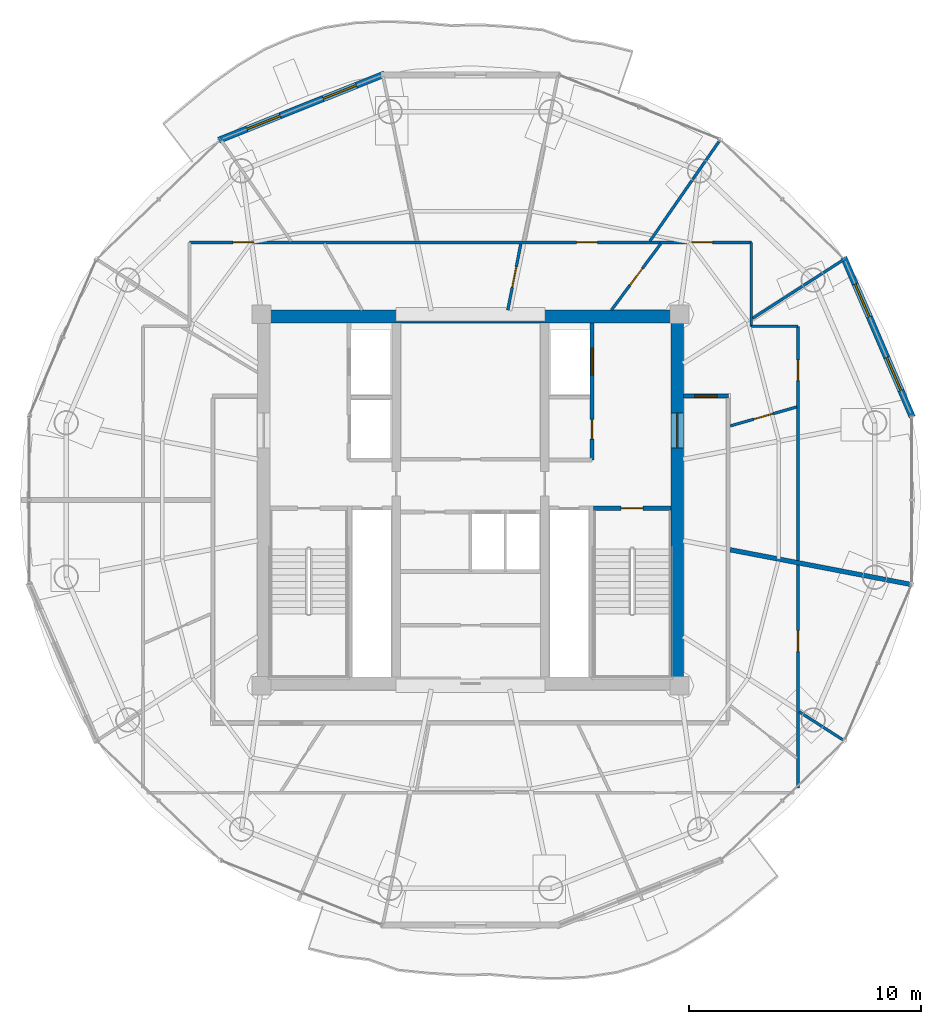
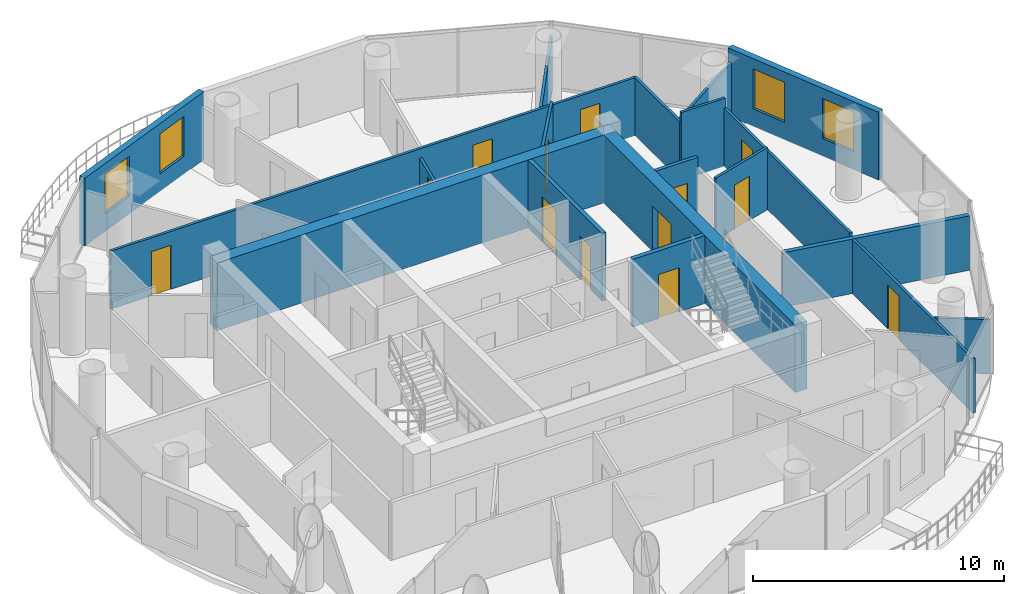
# One storey, part 19 of 23: 19 walls, 13 doors, 4 windows, 17 openings.
"""IFC4 building model written with IfcOpenShell, lengths in metres."""

from ifc_helpers import new_model, si_unit, direction, frame, frame_2d, origin, place, context, subcontext, project, spatial, rectangle, extrude, source, transform, mapped, material, layer, layer_set, type_object, element, fill, save


model = new_model("IFC4")

# Units and contexts
model_context = context("Model", 3, precision=1e-05, world=origin(), true_north=direction((-0.2419218956, 0.970295726276)))
body_context = subcontext(model_context, "Body", "Model", "MODEL_VIEW")
ifc_project = project(units=[si_unit("LENGTHUNIT", "METRE"), si_unit("AREAUNIT", "SQUARE_METRE"), si_unit("VOLUMEUNIT", "CUBIC_METRE"), si_unit("PLANEANGLEUNIT", "RADIAN"), si_unit("MASSUNIT", "GRAM", prefix="KILO")], contexts=[model_context])

# Site, building, storey
site_placement = place(None, origin())
site = spatial("IfcSite", under=ifc_project, at=site_placement, CompositionType="ELEMENT")
building_placement = place(site_placement, origin())
building = spatial("IfcBuilding", under=site, at=building_placement, Name="Cobrevalo Terracotta Tower", CompositionType="ELEMENT")
storey_placement = place(building_placement, frame((0.0, 0.0, 296.949951171875)))
storey = spatial("IfcBuildingStorey", under=building, at=storey_placement, Name="L78", CompositionType="ELEMENT", Elevation=296.949951171875)

# Wall
ifc_material_1 = material(Name="Concrete C50", Category="concrete")
ifc_layer_1 = layer(ifc_material_1, 0.550048828125)
ifc_layer_set_1 = layer_set([ifc_layer_1], Name="Concrete C50")
wall_type_1 = type_object("IfcWallType", Name="Core shear wall 550 mm Concrete C50", PredefinedType="SHEAR", material=ifc_layer_set_1)
wall_1_placement = place(storey_placement, frame((28.824951171875, 34.699951171875, 0.0), z_axis=(0.0, 0.0, 1.0), x_axis=(1.0, 0.0, 0.0)))
element("IfcWall", 1, at=wall_1_placement, inside=storey, type_object=wall_type_1, Name="L78 north core shear wall", PredefinedType="SHEAR", context=body_context, shape_type="SweptSolid", body=[
    extrude(rectangle(XDim=18.35009765625, YDim=0.550048828125, at=frame_2d((9.175048828125, 0.0))), origin(), (0.0, 0.0, 1.0), 3.300048828125),
])

# Wall, opening, door
wall_2_placement = place(storey_placement, frame((46.89990234375, 19.175048828125, 0.0), z_axis=(0.0, 0.0, 1.0), x_axis=(0.0, 1.0, 0.0)))
wall_2 = element("IfcWall", 2, at=wall_2_placement, inside=storey, type_object=wall_type_1, Name="L78 east core shear wall", PredefinedType="SHEAR", context=body_context, shape_type="SweptSolid", body=[
    extrude(rectangle(XDim=15.25, YDim=0.550048828125, at=frame_2d((7.625, 0.0))), origin(), (0.0, 0.0, 1.0), 3.300048828125),
])
opening_1_placement = place(wall_2_placement, frame((9.875, 0.0, 0.0)))
opening_1 = element("IfcOpeningElement", 3, at=opening_1_placement, cuts=wall_2, Name="Opening ID-14", PredefinedType="OPENING", context=body_context, shape_type="SweptSolid", body=[
    extrude(rectangle(XDim=1.5, YDim=2.199951171875, at=frame_2d((0.75, 1.10009765625))), frame((0.0, 0.28515625, 0.0), z_axis=(0.0, -1.0, 0.0), x_axis=(1.0, 0.0, 0.0)), (0.0, 0.0, 1.0), 0.570068359375),
])
ifc_material_2 = material(Name="Galvanized fire-rated steel", Category="steel")
door_type_1 = type_object("IfcDoorType", Name="Core cross-lobby double fire door 1500x2200 EI 90", OperationType="NOTDEFINED", PredefinedType="DOOR", material=ifc_material_2)
shared_shape_1 = source(origin(), body_context, "Body", "SweptSolid", [
    extrude(rectangle(XDim=1.5, YDim=2.199951171875, at=frame_2d((0.75, 1.10009765625))), frame((0.0, 0.02490234375, 0.0), z_axis=(0.0, -1.0, 0.0), x_axis=(1.0, 0.0, 0.0)), (0.0, 0.0, 1.0), 0.050048828125),
])
door_1_placement = place(opening_1_placement, frame((1.5, 0.0, 0.0), z_axis=(0.0, 0.0, 1.0), x_axis=(-1.0, 0.0, 0.0)))
door_1 = element("IfcDoor", 4, at=door_1_placement, inside=storey, type_object=door_type_1, Name="L78 east firefighting lobby entrance door", OperationType="DOUBLE_DOOR_SINGLE_SWING", OverallHeight=2.199951171875, OverallWidth=1.5, PredefinedType="DOOR", context=body_context, shape_type="MappedRepresentation", body=[
    mapped(shared_shape_1, transform((0.0, 0.0, 0.0), scale=1.0)),
])
fill(opening_1, door_1)

ifc_material_3 = material(Name="Gypsum board on steel stud", Category="steel")
ifc_layer_2 = layer(ifc_material_3, 0.159912109375)
ifc_layer_set_2 = layer_set([ifc_layer_2], Name="Gypsum board on steel stud")
wall_type_2 = type_object("IfcWallType", Name="Fire-rated corridor acoustic partition wall 160 mm", PredefinedType="PARTITIONING", material=ifc_layer_set_2)
wall_3_placement = place(storey_placement, frame((47.175048828125, 31.280029296875, 0.0), z_axis=(0.0, 0.0, 1.0), x_axis=(1.0, 0.0, 0.0)))
wall_3 = element("IfcWall", 5, at=wall_3_placement, inside=storey, type_object=wall_type_2, Name="L78 interior partition IW-L78-COR-EN-CAP", PredefinedType="PARTITIONING", context=body_context, shape_type="SweptSolid", body=[
    extrude(rectangle(XDim=1.929931640625, YDim=0.159912109375, at=frame_2d((0.96484375, 0.0))), origin(), (0.0, 0.0, 1.0), 3.300048828125),
])
opening_2_placement = place(wall_3_placement, frame((0.47509765625, 0.0, 0.0)))
opening_2 = element("IfcOpeningElement", 6, at=opening_2_placement, cuts=wall_3, Name="Opening ID-05", PredefinedType="OPENING", context=body_context, shape_type="SweptSolid", body=[
    extrude(rectangle(XDim=0.97998046875, YDim=2.199951171875, at=frame_2d((0.489990234375, 1.10009765625))), frame((0.0, 0.08984375, 0.0), z_axis=(0.0, -1.0, 0.0), x_axis=(1.0, 0.0, 0.0)), (0.0, 0.0, 1.0), 0.179931640625),
])
ifc_material_4 = material(Name="Solid hardwood timber", Category="wood")
door_type_2 = type_object("IfcDoorType", Name="Residence entrance fire-rated acoustic timber door 980x2200 EI 60", OperationType="NOTDEFINED", PredefinedType="DOOR", material=ifc_material_4)
shared_shape_2 = source(origin(), body_context, "Body", "SweptSolid", [
    extrude(rectangle(XDim=0.97998046875, YDim=2.199951171875, at=frame_2d((0.489990234375, 1.10009765625))), frame((0.0, 0.02490234375, 0.0), z_axis=(0.0, -1.0, 0.0), x_axis=(1.0, 0.0, 0.0)), (0.0, 0.0, 1.0), 0.050048828125),
])
door_2_placement = place(opening_2_placement, origin())
door_2 = element("IfcDoor", 7, at=door_2_placement, inside=storey, type_object=door_type_2, Name="Flat L78A fire-rated apartment entrance door", OperationType="SINGLE_SWING_RIGHT", OverallHeight=2.199951171875, OverallWidth=0.97998046875, PredefinedType="DOOR", context=body_context, shape_type="MappedRepresentation", body=[
    mapped(shared_shape_2, transform((0.0, 0.0, 0.0), scale=1.0)),
])
fill(opening_2, door_2)

# Wall, openings, doors
ifc_layer_3 = layer(ifc_material_3, 0.179931640625)
ifc_layer_set_3 = layer_set([ifc_layer_3], Name="Gypsum board on steel stud")
wall_type_3 = type_object("IfcWallType", Name="Fire-rated shaft & lobby acoustic partition wall 180 mm", PredefinedType="PARTITIONING", material=ifc_layer_set_3)
wall_4_placement = place(storey_placement, frame((43.22998046875, 28.52001953125, 0.0), z_axis=(0.0, 0.0, 1.0), x_axis=(0.0, 1.0, 0.0)))
wall_4 = element("IfcWall", 8, at=wall_4_placement, inside=storey, type_object=wall_type_3, Name="L78 interior partition IW-L78-FF2-E", PredefinedType="PARTITIONING", context=body_context, shape_type="SweptSolid", body=[
    extrude(rectangle(XDim=5.905029296875, YDim=0.179931640625, at=frame_2d((2.95263671875, 0.0))), origin(), (0.0, 0.0, 1.0), 3.300048828125),
])
opening_3_placement = place(wall_4_placement, frame((0.905029296875, 0.0, 0.0)))
opening_3 = element("IfcOpeningElement", 9, at=opening_3_placement, cuts=wall_4, Name="Opening ID-22", PredefinedType="OPENING", context=body_context, shape_type="SweptSolid", body=[
    extrude(rectangle(XDim=0.85009765625, YDim=2.10009765625, at=frame_2d((0.425048828125, 1.050048828125))), frame((0.0, 0.10009765625, 0.0), z_axis=(0.0, -1.0, 0.0), x_axis=(1.0, 0.0, 0.0)), (0.0, 0.0, 1.0), 0.199951171875),
])
opening_4_placement = place(wall_4_placement, frame((3.655029296875, 0.0, 0.0)))
opening_4 = element("IfcOpeningElement", 10, at=opening_4_placement, cuts=wall_4, Name="Opening LD-02", PredefinedType="OPENING", context=body_context, shape_type="SweptSolid", body=[
    extrude(rectangle(XDim=1.14990234375, YDim=2.199951171875, at=frame_2d((0.574951171875, 1.10009765625))), frame((0.0, 0.10009765625, 0.0), z_axis=(0.0, -1.0, 0.0), x_axis=(1.0, 0.0, 0.0)), (0.0, 0.0, 1.0), 0.199951171875),
])
ifc_material_5 = material(Name="Powder-coated steel", Category="steel")
door_type_3 = type_object("IfcDoorType", Name="Riser shaft & meter closet fire access door 850x2100 EI 60", OperationType="NOTDEFINED", PredefinedType="DOOR", material=ifc_material_5)
shared_shape_3 = source(origin(), body_context, "Body", "SweptSolid", [
    extrude(rectangle(XDim=0.85009765625, YDim=2.10009765625, at=frame_2d((0.425048828125, 1.050048828125))), frame((0.0, 0.02490234375, 0.0), z_axis=(0.0, -1.0, 0.0), x_axis=(1.0, 0.0, 0.0)), (0.0, 0.0, 1.0), 0.050048828125),
])
door_3_placement = place(opening_3_placement, frame((0.85009765625, 0.0, 0.0), z_axis=(0.0, 0.0, 1.0), x_axis=(-1.0, 0.0, 0.0)))
door_3 = element("IfcDoor", 11, at=door_3_placement, inside=storey, type_object=door_type_3, Name="L78 housekeeping store door", OperationType="SINGLE_SWING_RIGHT", OverallHeight=2.10009765625, OverallWidth=0.85009765625, PredefinedType="DOOR", context=body_context, shape_type="MappedRepresentation", body=[
    mapped(shared_shape_3, transform((0.0, 0.0, 0.0), scale=1.0)),
])
fill(opening_3, door_3)
ifc_material_6 = material(Name="Brushed stainless steel", Category="steel")
door_type_4 = type_object("IfcDoorType", Name="Firefighting lift landing bi-parting sliding door 1150x2200 EI 120", OperationType="DOUBLE_DOOR_SLIDING", PredefinedType="DOOR", material=ifc_material_6)
shared_shape_4 = source(origin(), body_context, "Body", "SweptSolid", [
    extrude(rectangle(XDim=1.14990234375, YDim=2.199951171875, at=frame_2d((0.574951171875, 1.10009765625))), frame((0.0, 0.02490234375, 0.0), z_axis=(0.0, -1.0, 0.0), x_axis=(1.0, 0.0, 0.0)), (0.0, 0.0, 1.0), 0.050048828125),
])
door_4_placement = place(opening_4_placement, origin())
door_4 = element("IfcDoor", 12, at=door_4_placement, inside=storey, type_object=door_type_4, Name="L78 lift landing door FF-2", OperationType="DOUBLE_DOOR_SLIDING", OverallHeight=2.199951171875, OverallWidth=1.14990234375, PredefinedType="DOOR", context=body_context, shape_type="MappedRepresentation", body=[
    mapped(shared_shape_4, transform((0.0, 0.0, 0.0), scale=1.0)),
])
fill(opening_4, door_4)

# Wall
ifc_material_7 = material(Name="Autoclaved aerated concrete block", Category="concrete")
ifc_layer_4 = layer(ifc_material_7, 0.199951171875)
ifc_layer_set_4 = layer_set([ifc_layer_4], Name="Autoclaved aerated concrete block")
wall_type_4 = type_object("IfcWallType", Name="Fire-rated stair, shaft & demising masonry wall 200 mm", PredefinedType="PARTITIONING", material=ifc_layer_set_4)
wall_5_placement = place(storey_placement, frame((49.18505859375, 24.655517578125, 0.0), z_axis=(0.0, 0.0, 1.0), x_axis=(0.982109889803, -0.188308694305, 0.0)))
element("IfcWall", 13, at=wall_5_placement, inside=storey, type_object=wall_type_4, Name="L78 interior partition IW-L78-DEM-1", PredefinedType="PARTITIONING", context=body_context, shape_type="SweptSolid", body=[
    extrude(rectangle(XDim=7.884033203125, YDim=0.199951171875, at=frame_2d((3.94189453125, 0.0))), origin(), (0.0, 0.0, 1.0), 2.650146484375),
])

# Wall, openings, windows
ifc_layer_5 = layer(ifc_material_7, 0.280029296875)
ifc_layer_set_5 = layer_set([ifc_layer_5], Name="Autoclaved aerated concrete block")
wall_type_5 = type_object("IfcWallType", Name="Insulated tower spandrel & pier wall 280 mm with terracotta rainscreen", PredefinedType="SOLIDWALL", material=ifc_layer_set_5)
wall_6_placement = place(storey_placement, frame((57.029296875, 30.368896484375, 0.0), z_axis=(0.0, 0.0, 1.0), x_axis=(-0.394816612978, 0.918759948037, 0.0)))
wall_6 = element("IfcWall", 14, at=wall_6_placement, inside=storey, type_object=wall_type_5, Name="L78 terracotta rainscreen pier wall S01", PredefinedType="SOLIDWALL", context=body_context, shape_type="SweptSolid", body=[
    extrude(rectangle(XDim=7.4853515625, YDim=0.280029296875, at=frame_2d((3.74267578125, 0.0))), origin(), (0.0, 0.0, 1.0), 3.300048828125),
])
opening_5_placement = place(wall_6_placement, frame((1.24609375, 0.0, 0.85009765625)))
opening_5 = element("IfcOpeningElement", 15, at=opening_5_placement, cuts=wall_6, Name="Opening WN-12", PredefinedType="OPENING", context=body_context, shape_type="SweptSolid", body=[
    extrude(rectangle(XDim=1.550048828125, YDim=1.949951171875, at=frame_2d((0.77490234375, 0.97509765625))), frame((0.0, 0.14990234375, 0.0), z_axis=(0.0, -1.0, 0.0), x_axis=(1.0, 0.0, 0.0)), (0.0, 0.0, 1.0), 0.300048828125),
])
opening_6_placement = place(wall_6_placement, frame((4.689208984375, 0.0, 0.85009765625)))
opening_6 = element("IfcOpeningElement", 16, at=opening_6_placement, cuts=wall_6, Name="Opening WN-12", PredefinedType="OPENING", context=body_context, shape_type="SweptSolid", body=[
    extrude(rectangle(XDim=1.550048828125, YDim=1.949951171875, at=frame_2d((0.77490234375, 0.97509765625))), frame((0.0, 0.14990234375, 0.0), z_axis=(0.0, -1.0, 0.0), x_axis=(1.0, 0.0, 0.0)), (0.0, 0.0, 1.0), 0.300048828125),
])
ifc_material_8 = material(Name="Solar-control low-E double glazing", Category="glass")
window_type = type_object("IfcWindowType", Name="Solar-control low-E aluminium window 1550x1950", PartitioningType="SINGLE_PANEL", PredefinedType="WINDOW", material=ifc_material_8)
shared_shape_5 = source(origin(), body_context, "Body", "SweptSolid", [
    extrude(rectangle(XDim=1.550048828125, YDim=1.949951171875, at=frame_2d((0.77490234375, 0.97509765625))), frame((0.0, 0.030029296875, 0.0), z_axis=(0.0, -1.0, 0.0), x_axis=(1.0, 0.0, 0.0)), (0.0, 0.0, 1.0), 0.06005859375),
])
window_1_placement = place(opening_5_placement, origin())
window_1 = element("IfcWindow", 17, at=window_1_placement, inside=storey, type_object=window_type, Name="L78 suite window S01A", OverallHeight=1.949951171875, OverallWidth=1.550048828125, PartitioningType="SINGLE_PANEL", PredefinedType="WINDOW", context=body_context, shape_type="MappedRepresentation", body=[
    mapped(shared_shape_5, transform((0.0, 0.0, 0.0), scale=1.0)),
])
fill(opening_5, window_1)
window_2_placement = place(opening_6_placement, origin())
window_2 = element("IfcWindow", 18, at=window_2_placement, inside=storey, type_object=window_type, Name="L78 suite window S01B", OverallHeight=1.949951171875, OverallWidth=1.550048828125, PartitioningType="SINGLE_PANEL", PredefinedType="WINDOW", context=body_context, shape_type="MappedRepresentation", body=[
    mapped(shared_shape_5, transform((0.0, 0.0, 0.0), scale=1.0)),
])
fill(opening_6, window_2)

wall_7_placement = place(storey_placement, frame((34.29541015625, 45.140869140625, 0.0), z_axis=(0.0, 0.0, 1.0), x_axis=(-0.928724272392, -0.370771123296, 0.0)))
wall_7 = element("IfcWall", 19, at=wall_7_placement, inside=storey, type_object=wall_type_5, Name="L78 terracotta rainscreen pier wall S05", PredefinedType="SOLIDWALL", context=body_context, shape_type="SweptSolid", body=[
    extrude(rectangle(XDim=7.678466796875, YDim=0.280029296875, at=frame_2d((3.83935546875, 0.0))), origin(), (0.0, 0.0, 1.0), 3.300048828125),
])
opening_7_placement = place(wall_7_placement, frame((1.298095703125, 0.0, 0.85009765625)))
opening_7 = element("IfcOpeningElement", 20, at=opening_7_placement, cuts=wall_7, Name="Opening WN-12", PredefinedType="OPENING", context=body_context, shape_type="SweptSolid", body=[
    extrude(rectangle(XDim=1.550048828125, YDim=1.949951171875, at=frame_2d((0.77490234375, 0.97509765625))), frame((0.0, 0.14990234375, 0.0), z_axis=(0.0, -1.0, 0.0), x_axis=(1.0, 0.0, 0.0)), (0.0, 0.0, 1.0), 0.300048828125),
])
opening_8_placement = place(wall_7_placement, frame((4.830078125, 0.0, 0.85009765625)))
opening_8 = element("IfcOpeningElement", 21, at=opening_8_placement, cuts=wall_7, Name="Opening WN-12", PredefinedType="OPENING", context=body_context, shape_type="SweptSolid", body=[
    extrude(rectangle(XDim=1.550048828125, YDim=1.949951171875, at=frame_2d((0.77490234375, 0.97509765625))), frame((0.0, 0.14990234375, 0.0), z_axis=(0.0, -1.0, 0.0), x_axis=(1.0, 0.0, 0.0)), (0.0, 0.0, 1.0), 0.300048828125),
])
window_3_placement = place(opening_7_placement, origin())
window_3 = element("IfcWindow", 22, at=window_3_placement, inside=storey, type_object=window_type, Name="L78 suite window S05A", OverallHeight=1.949951171875, OverallWidth=1.550048828125, PartitioningType="SINGLE_PANEL", PredefinedType="WINDOW", context=body_context, shape_type="MappedRepresentation", body=[
    mapped(shared_shape_5, transform((0.0, 0.0, 0.0), scale=1.0)),
])
fill(opening_7, window_3)
window_4_placement = place(opening_8_placement, origin())
window_4 = element("IfcWindow", 23, at=window_4_placement, inside=storey, type_object=window_type, Name="L78 suite window S05B", OverallHeight=1.949951171875, OverallWidth=1.550048828125, PartitioningType="SINGLE_PANEL", PredefinedType="WINDOW", context=body_context, shape_type="MappedRepresentation", body=[
    mapped(shared_shape_5, transform((0.0, 0.0, 0.0), scale=1.0)),
])
fill(opening_8, window_4)

# Wall, openings, doors
ifc_layer_6 = layer(ifc_material_3, 0.1201171875)
ifc_layer_set_6 = layer_set([ifc_layer_6], Name="Gypsum board on steel stud")
wall_type_6 = type_object("IfcWallType", Name="Residential internal acoustic stud partition 120 mm", PredefinedType="PARTITIONING", material=ifc_layer_set_6)
wall_8_placement = place(storey_placement, frame((25.905029296875, 37.89501953125, 0.0), z_axis=(0.0, 0.0, 1.0), x_axis=(1.0, 0.0, 0.0)))
wall_8 = element("IfcWall", 24, at=wall_8_placement, inside=storey, type_object=wall_type_6, Name="L78 interior partition IW-L78-U1-RING3_0", PredefinedType="PARTITIONING", context=body_context, shape_type="SweptSolid", body=[
    extrude(rectangle(XDim=24.18994140625, YDim=0.1201171875, at=frame_2d((12.094970703125, 0.0))), origin(), (0.0, 0.0, 1.0), 2.824951171875),
])
opening_9_placement = place(wall_8_placement, frame((21.621337890625, 0.0, 0.0)))
opening_9 = element("IfcOpeningElement", 25, at=opening_9_placement, cuts=wall_8, Name="Opening ID-12", PredefinedType="OPENING", context=body_context, shape_type="SweptSolid", body=[
    extrude(rectangle(XDim=0.89990234375, YDim=2.14990234375, at=frame_2d((0.449951171875, 1.074951171875))), frame((0.0, 0.070068359375, 0.0), z_axis=(0.0, -1.0, 0.0), x_axis=(1.0, 0.0, 0.0)), (0.0, 0.0, 1.0), 0.14013671875),
])
opening_10_placement = place(wall_8_placement, frame((16.661376953125, 0.0, 0.0)))
opening_10 = element("IfcOpeningElement", 26, at=opening_10_placement, cuts=wall_8, Name="Opening ID-12", PredefinedType="OPENING", context=body_context, shape_type="SweptSolid", body=[
    extrude(rectangle(XDim=0.89990234375, YDim=2.14990234375, at=frame_2d((0.449951171875, 1.074951171875))), frame((0.0, 0.070068359375, 0.0), z_axis=(0.0, -1.0, 0.0), x_axis=(1.0, 0.0, 0.0)), (0.0, 0.0, 1.0), 0.14013671875),
])
opening_11_placement = place(wall_8_placement, frame((1.8720703125, 0.0, 0.0)))
opening_11 = element("IfcOpeningElement", 27, at=opening_11_placement, cuts=wall_8, Name="Opening ID-12", PredefinedType="OPENING", context=body_context, shape_type="SweptSolid", body=[
    extrude(rectangle(XDim=0.89990234375, YDim=2.14990234375, at=frame_2d((0.449951171875, 1.074951171875))), frame((0.0, 0.070068359375, 0.0), z_axis=(0.0, -1.0, 0.0), x_axis=(1.0, 0.0, 0.0)), (0.0, 0.0, 1.0), 0.14013671875),
])
ifc_material_9 = material(Name="Engineered timber", Category="wood")
door_type_5 = type_object("IfcDoorType", Name="Internal residence & suite timber door 900x2150", OperationType="NOTDEFINED", PredefinedType="DOOR", material=ifc_material_9)
shared_shape_6 = source(origin(), body_context, "Body", "SweptSolid", [
    extrude(rectangle(XDim=0.89990234375, YDim=2.14990234375, at=frame_2d((0.449951171875, 1.074951171875))), frame((0.0, 0.02490234375, 0.0), z_axis=(0.0, -1.0, 0.0), x_axis=(1.0, 0.0, 0.0)), (0.0, 0.0, 1.0), 0.050048828125),
])
door_5_placement = place(opening_9_placement, origin())
door_5 = element("IfcDoor", 28, at=door_5_placement, inside=storey, type_object=door_type_5, Name="Flat L78A Master Bedroom internal door", OperationType="SINGLE_SWING_LEFT", OverallHeight=2.14990234375, OverallWidth=0.89990234375, PredefinedType="DOOR", context=body_context, shape_type="MappedRepresentation", body=[
    mapped(shared_shape_6, transform((0.0, 0.0, 0.0), scale=1.0)),
])
fill(opening_9, door_5)
door_6_placement = place(opening_10_placement, origin())
door_6 = element("IfcDoor", 29, at=door_6_placement, inside=storey, type_object=door_type_5, Name="Flat L78A Principal Guest Bedroom internal door", OperationType="SINGLE_SWING_RIGHT", OverallHeight=2.14990234375, OverallWidth=0.89990234375, PredefinedType="DOOR", context=body_context, shape_type="MappedRepresentation", body=[
    mapped(shared_shape_6, transform((0.0, 0.0, 0.0), scale=1.0)),
])
fill(opening_10, door_6)
door_7_placement = place(opening_11_placement, origin())
door_7 = element("IfcDoor", 30, at=door_7_placement, inside=storey, type_object=door_type_5, Name="Flat L78A Penthouse Family Lounge internal door", OperationType="SINGLE_SWING_LEFT", OverallHeight=2.14990234375, OverallWidth=0.89990234375, PredefinedType="DOOR", context=body_context, shape_type="MappedRepresentation", body=[
    mapped(shared_shape_6, transform((0.0, 0.0, 0.0), scale=1.0)),
])
fill(opening_11, door_7)

# Walls
wall_9_placement = place(storey_placement, frame((50.094970703125, 37.89501953125, 0.0), z_axis=(0.0, 0.0, 1.0), x_axis=(0.0, -1.0, 0.0)))
element("IfcWall", 31, at=wall_9_placement, inside=storey, type_object=wall_type_6, Name="L78 interior partition IW-L78-U1-RING4_0", PredefinedType="PARTITIONING", context=body_context, shape_type="SweptSolid", body=[
    extrude(rectangle(XDim=3.614990234375, YDim=0.1201171875, at=frame_2d((1.8076171875, 0.0))), origin(), (0.0, 0.0, 1.0), 2.824951171875),
])
wall_10_placement = place(storey_placement, frame((50.094970703125, 34.280029296875, 0.0), z_axis=(0.0, 0.0, 1.0), x_axis=(1.0, 0.0, 0.0)))
element("IfcWall", 32, at=wall_10_placement, inside=storey, type_object=wall_type_6, Name="L78 interior partition IW-L78-U1-RING5_0", PredefinedType="PARTITIONING", context=body_context, shape_type="SweptSolid", body=[
    extrude(rectangle(XDim=2.010009765625, YDim=0.1201171875, at=frame_2d((1.0048828125, 0.0))), origin(), (0.0, 0.0, 1.0), 3.300048828125),
])

# Wall, opening, door
wall_11_placement = place(storey_placement, frame((52.10498046875, 34.280029296875, 0.0), z_axis=(0.0, 0.0, 1.0), x_axis=(0.0, -1.0, 0.0)))
wall_11 = element("IfcWall", 33, at=wall_11_placement, inside=storey, type_object=wall_type_6, Name="L78 interior partition IW-L78-U1-RING6_0", PredefinedType="PARTITIONING", context=body_context, shape_type="SweptSolid", body=[
    extrude(rectangle(XDim=10.08251953125, YDim=0.1201171875, at=frame_2d((5.041259765625, 0.0))), origin(), (0.0, 0.0, 1.0), 2.824951171875),
])
opening_12_placement = place(wall_11_placement, frame((1.443603515625, 0.0, 0.0)))
opening_12 = element("IfcOpeningElement", 34, at=opening_12_placement, cuts=wall_11, Name="Opening ID-12", PredefinedType="OPENING", context=body_context, shape_type="SweptSolid", body=[
    extrude(rectangle(XDim=0.89990234375, YDim=2.14990234375, at=frame_2d((0.449951171875, 1.074951171875))), frame((0.0, 0.070068359375, 0.0), z_axis=(0.0, -1.0, 0.0), x_axis=(1.0, 0.0, 0.0)), (0.0, 0.0, 1.0), 0.14013671875),
])
door_8_placement = place(opening_12_placement, origin())
door_8 = element("IfcDoor", 35, at=door_8_placement, inside=storey, type_object=door_type_5, Name="Flat L78A Living and Dining Room internal door", OperationType="SINGLE_SWING_RIGHT", OverallHeight=2.14990234375, OverallWidth=0.89990234375, PredefinedType="DOOR", context=body_context, shape_type="MappedRepresentation", body=[
    mapped(shared_shape_6, transform((0.0, 0.0, 0.0), scale=1.0)),
])
fill(opening_12, door_8)

# Walls
wall_12_placement = place(storey_placement, frame((50.147216796875, 34.62353515625, 0.0), z_axis=(0.0, 0.0, 1.0), x_axis=(0.840694066929, 0.541510374628, 0.0)))
element("IfcWall", 36, at=wall_12_placement, inside=storey, type_object=wall_type_6, Name="L78 interior partition IW-L78-U1-ORAD1", PredefinedType="PARTITIONING", context=body_context, shape_type="SweptSolid", body=[
    extrude(rectangle(XDim=4.637451171875, YDim=0.1201171875, at=frame_2d((2.31884765625, 0.0))), origin(), (0.0, 0.0, 1.0), 2.650146484375),
])
wall_13_placement = place(storey_placement, frame((45.726318359375, 37.946044921875, 0.0), z_axis=(0.0, 0.0, 1.0), x_axis=(0.569678410446, 0.821867695357, 0.0)))
element("IfcWall", 37, at=wall_13_placement, inside=storey, type_object=wall_type_6, Name="L78 interior partition IW-L78-U1-ORAD2", PredefinedType="PARTITIONING", context=body_context, shape_type="SweptSolid", body=[
    extrude(rectangle(XDim=5.256591796875, YDim=0.1201171875, at=frame_2d((2.62841796875, 0.0))), origin(), (0.0, 0.0, 1.0), 2.650146484375),
])

# Wall, opening, door
wall_14_placement = place(storey_placement, frame((49.18505859375, 29.98974609375, 0.0), z_axis=(0.0, 0.0, 1.0), x_axis=(0.961663207035, 0.274233251511, 0.0)))
wall_14 = element("IfcWall", 38, at=wall_14_placement, inside=storey, type_object=wall_type_6, Name="L78 interior partition IW-L78-U1-IRAD1", PredefinedType="PARTITIONING", context=body_context, shape_type="SweptSolid", body=[
    extrude(rectangle(XDim=2.974365234375, YDim=0.1201171875, at=frame_2d((1.4873046875, 0.0))), origin(), (0.0, 0.0, 1.0), 3.01904296875),
])
opening_13_placement = place(wall_14_placement, frame((1.05712890625, 0.0, 0.0)))
opening_13 = element("IfcOpeningElement", 39, at=opening_13_placement, cuts=wall_14, Name="Opening ID-19", PredefinedType="OPENING", context=body_context, shape_type="SweptSolid", body=[
    extrude(rectangle(XDim=0.860107421875, YDim=2.14990234375, at=frame_2d((0.43017578125, 1.074951171875))), frame((0.0, 0.070068359375, 0.0), z_axis=(0.0, -1.0, 0.0), x_axis=(1.0, 0.0, 0.0)), (0.0, 0.0, 1.0), 0.14013671875),
])
ifc_material_10 = material(Name="Moisture-sealed timber", Category="wood")
door_type_6 = type_object("IfcDoorType", Name="Suite bathroom internal timber door 860x2150", OperationType="NOTDEFINED", PredefinedType="DOOR", material=ifc_material_10)
shared_shape_7 = source(origin(), body_context, "Body", "SweptSolid", [
    extrude(rectangle(XDim=0.860107421875, YDim=2.14990234375, at=frame_2d((0.43017578125, 1.074951171875))), frame((0.0, 0.02490234375, 0.0), z_axis=(0.0, -1.0, 0.0), x_axis=(1.0, 0.0, 0.0)), (0.0, 0.0, 1.0), 0.050048828125),
])
door_9_placement = place(opening_13_placement, frame((0.860107421875, 0.0, 0.0), z_axis=(0.0, 0.0, 1.0), x_axis=(-1.0, 0.0, 0.0)))
door_9 = element("IfcDoor", 40, at=door_9_placement, inside=storey, type_object=door_type_6, Name="Flat L78A Primary Bathroom internal door", OperationType="SINGLE_SWING_LEFT", OverallHeight=2.14990234375, OverallWidth=0.860107421875, PredefinedType="DOOR", context=body_context, shape_type="MappedRepresentation", body=[
    mapped(shared_shape_7, transform((0.0, 0.0, 0.0), scale=1.0)),
])
fill(opening_13, door_9)

wall_15_placement = place(storey_placement, frame((44.0703125, 34.9765625, 0.0), z_axis=(0.0, 0.0, 1.0), x_axis=(0.596034582173, 0.802958764106, 0.0)))
wall_15 = element("IfcWall", 41, at=wall_15_placement, inside=storey, type_object=wall_type_6, Name="L78 interior partition IW-L78-U1-IRAD2", PredefinedType="PARTITIONING", context=body_context, shape_type="SweptSolid", body=[
    extrude(rectangle(XDim=3.572509765625, YDim=0.1201171875, at=frame_2d((1.7861328125, 0.0))), origin(), (0.0, 0.0, 1.0), 3.01904296875),
])
opening_14_placement = place(wall_15_placement, frame((1.33642578125, 0.0, 0.0)))
opening_14 = element("IfcOpeningElement", 42, at=opening_14_placement, cuts=wall_15, Name="Opening ID-12", PredefinedType="OPENING", context=body_context, shape_type="SweptSolid", body=[
    extrude(rectangle(XDim=0.89990234375, YDim=2.14990234375, at=frame_2d((0.449951171875, 1.074951171875))), frame((0.0, 0.070068359375, 0.0), z_axis=(0.0, -1.0, 0.0), x_axis=(1.0, 0.0, 0.0)), (0.0, 0.0, 1.0), 0.14013671875),
])
door_10_placement = place(opening_14_placement, origin())
door_10 = element("IfcDoor", 43, at=door_10_placement, inside=storey, type_object=door_type_5, Name="Flat L78A Kitchen internal door", OperationType="SINGLE_SWING_LEFT", OverallHeight=2.14990234375, OverallWidth=0.89990234375, PredefinedType="DOOR", context=body_context, shape_type="MappedRepresentation", body=[
    mapped(shared_shape_6, transform((0.0, 0.0, 0.0), scale=1.0)),
])
fill(opening_14, door_10)

wall_16_placement = place(storey_placement, frame((39.606689453125, 34.97705078125, 0.0), z_axis=(0.0, 0.0, 1.0), x_axis=(0.192841890083, 0.981229843324, 0.0)))
wall_16 = element("IfcWall", 44, at=wall_16_placement, inside=storey, type_object=wall_type_6, Name="L78 interior partition IW-L78-U1-IRAD3", PredefinedType="PARTITIONING", context=body_context, shape_type="SweptSolid", body=[
    extrude(rectangle(XDim=2.911865234375, YDim=0.1201171875, at=frame_2d((1.4560546875, 0.0))), origin(), (0.0, 0.0, 1.0), 2.385009765625),
])
opening_15_placement = place(wall_16_placement, frame((1.005859375, 0.0, 0.0)))
opening_15 = element("IfcOpeningElement", 45, at=opening_15_placement, cuts=wall_16, Name="Opening ID-12", PredefinedType="OPENING", context=body_context, shape_type="SweptSolid", body=[
    extrude(rectangle(XDim=0.89990234375, YDim=2.14990234375, at=frame_2d((0.449951171875, 1.074951171875))), frame((0.0, 0.070068359375, 0.0), z_axis=(0.0, -1.0, 0.0), x_axis=(1.0, 0.0, 0.0)), (0.0, 0.0, 1.0), 0.14013671875),
])
door_11_placement = place(opening_15_placement, origin())
door_11 = element("IfcDoor", 46, at=door_11_placement, inside=storey, type_object=door_type_5, Name="Flat L78A Utility Closet internal door", OperationType="SINGLE_SWING_RIGHT", OverallHeight=2.14990234375, OverallWidth=0.89990234375, PredefinedType="DOOR", context=body_context, shape_type="MappedRepresentation", body=[
    mapped(shared_shape_6, transform((0.0, 0.0, 0.0), scale=1.0)),
])
fill(opening_15, door_11)

wall_17_placement = place(storey_placement, frame((52.10498046875, 23.99365234375, 0.0), z_axis=(0.0, 0.0, 1.0), x_axis=(0.0, -1.0, 0.0)))
wall_17 = element("IfcWall", 47, at=wall_17_placement, inside=storey, type_object=wall_type_6, Name="L78 interior partition IW-L78-U2-RING2_0", PredefinedType="PARTITIONING", context=body_context, shape_type="SweptSolid", body=[
    extrude(rectangle(XDim=9.60546875, YDim=0.1201171875, at=frame_2d((4.802734375, 0.0))), origin(), (0.0, 0.0, 1.0), 2.650146484375),
])
opening_16_placement = place(wall_17_placement, frame((2.819091796875, 0.0, 0.0)))
opening_16 = element("IfcOpeningElement", 48, at=opening_16_placement, cuts=wall_17, Name="Opening ID-12", PredefinedType="OPENING", context=body_context, shape_type="SweptSolid", body=[
    extrude(rectangle(XDim=0.89990234375, YDim=2.14990234375, at=frame_2d((0.449951171875, 1.074951171875))), frame((0.0, 0.070068359375, 0.0), z_axis=(0.0, -1.0, 0.0), x_axis=(1.0, 0.0, 0.0)), (0.0, 0.0, 1.0), 0.14013671875),
])
door_12_placement = place(opening_16_placement, origin())
door_12 = element("IfcDoor", 49, at=door_12_placement, inside=storey, type_object=door_type_5, Name="Flat L78B Private Cinema Room internal door", OperationType="SINGLE_SWING_RIGHT", OverallHeight=2.14990234375, OverallWidth=0.89990234375, PredefinedType="DOOR", context=body_context, shape_type="MappedRepresentation", body=[
    mapped(shared_shape_6, transform((0.0, 0.0, 0.0), scale=1.0)),
])
fill(opening_16, door_12)

# Wall
wall_18_placement = place(storey_placement, frame((52.1572265625, 17.681884765625, 0.0), z_axis=(0.0, 0.0, 1.0), x_axis=(0.840690872836, -0.541515333421, 0.0)))
element("IfcWall", 50, at=wall_18_placement, inside=storey, type_object=wall_type_6, Name="L78 interior partition IW-L78-U2-ORAD5", PredefinedType="PARTITIONING", context=body_context, shape_type="SweptSolid", body=[
    extrude(rectangle(XDim=2.24658203125, YDim=0.1201171875, at=frame_2d((1.123291015625, 0.0))), origin(), (0.0, 0.0, 1.0), 2.650146484375),
])

# Wall, opening, door
ifc_layer_7 = layer(ifc_material_1, 0.199951171875)
ifc_layer_set_7 = layer_set([ifc_layer_7], Name="Concrete C50")
wall_type_7 = type_object("IfcWallType", Name="Structural core & podium stair-shaft RC wall 200 mm Concrete C50", PredefinedType="SOLIDWALL", material=ifc_layer_set_7)
wall_19_placement = place(storey_placement, frame((43.304931640625, 26.449951171875, 0.0), z_axis=(0.0, 0.0, 1.0), x_axis=(1.0, 0.0, 0.0)))
wall_19 = element("IfcWall", 51, at=wall_19_placement, inside=storey, type_object=wall_type_7, Name="L78 ST-2 north structural shaft wall", PredefinedType="SOLIDWALL", context=body_context, shape_type="SweptSolid", body=[
    extrude(rectangle(XDim=3.320068359375, YDim=0.199951171875, at=frame_2d((1.66015625, 0.0))), origin(), (0.0, 0.0, 1.0), 3.300048828125),
])
opening_17_placement = place(wall_19_placement, frame((1.18505859375, 0.0, 0.0)))
opening_17 = element("IfcOpeningElement", 52, at=opening_17_placement, cuts=wall_19, Name="Opening ID-04", PredefinedType="OPENING", context=body_context, shape_type="SweptSolid", body=[
    extrude(rectangle(XDim=0.949951171875, YDim=2.14990234375, at=frame_2d((0.47509765625, 1.074951171875))), frame((0.0, 0.10986328125, 0.0), z_axis=(0.0, -1.0, 0.0), x_axis=(1.0, 0.0, 0.0)), (0.0, 0.0, 1.0), 0.219970703125),
])
door_type_7 = type_object("IfcDoorType", Name="Stair & firefighting lobby fire door 950x2150 EI 90", OperationType="NOTDEFINED", PredefinedType="DOOR", material=ifc_material_2)
shared_shape_8 = source(origin(), body_context, "Body", "SweptSolid", [
    extrude(rectangle(XDim=0.949951171875, YDim=2.14990234375, at=frame_2d((0.47509765625, 1.074951171875))), frame((0.0, 0.02490234375, 0.0), z_axis=(0.0, -1.0, 0.0), x_axis=(1.0, 0.0, 0.0)), (0.0, 0.0, 1.0), 0.050048828125),
])
door_13_placement = place(opening_17_placement, frame((0.949951171875, 0.0, 0.0), z_axis=(0.0, 0.0, 1.0), x_axis=(-1.0, 0.0, 0.0)))
door_13 = element("IfcDoor", 53, at=door_13_placement, inside=storey, type_object=door_type_7, Name="L78 protected stair ST2 fire door", OperationType="SINGLE_SWING_RIGHT", OverallHeight=2.14990234375, OverallWidth=0.949951171875, PredefinedType="DOOR", context=body_context, shape_type="MappedRepresentation", body=[
    mapped(shared_shape_8, transform((0.0, 0.0, 0.0), scale=1.0)),
])
fill(opening_17, door_13)

save(model, "model.ifc")
